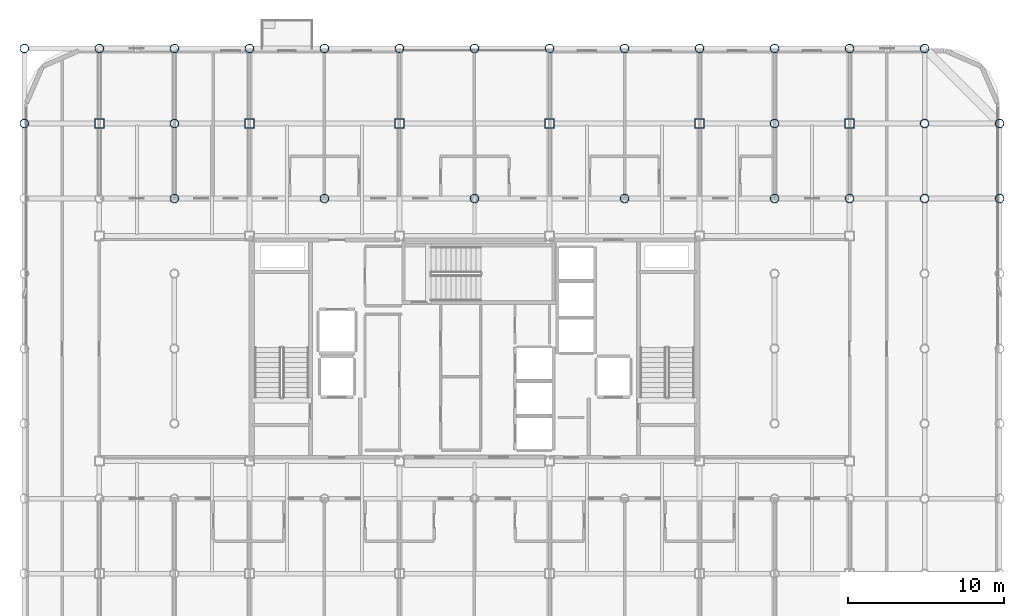
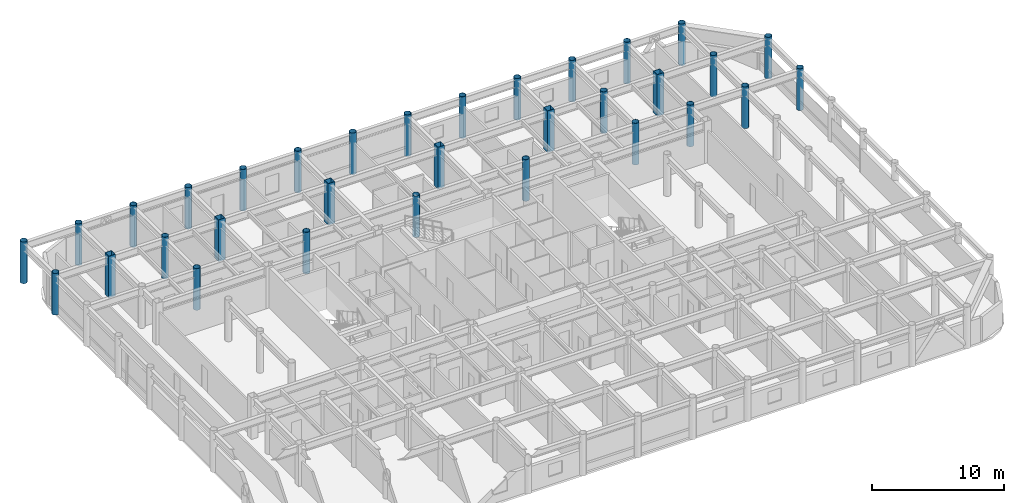
# One storey, part 2 of 23: 32 columns.
"""IFC4 building model written with IfcOpenShell, lengths in metres."""

from ifc_helpers import new_model, si_unit, direction, frame, origin, origin_2d, place, context, subcontext, project, spatial, hollow_rectangle, hollow_circle, extrude, material, material_profile, profile_set, type_object, element, save


model = new_model("IFC4")

# Units and contexts
model_context = context("Model", 3, precision=1e-05, world=origin(), true_north=direction((0.0, 1.0)))
body_context = subcontext(model_context, "Body", "Model", "MODEL_VIEW")
ifc_project = project(units=[si_unit("LENGTHUNIT", "METRE"), si_unit("AREAUNIT", "SQUARE_METRE"), si_unit("VOLUMEUNIT", "CUBIC_METRE"), si_unit("PLANEANGLEUNIT", "RADIAN"), si_unit("MASSUNIT", "GRAM", prefix="KILO")], contexts=[model_context])

# Site, building, storey
site_placement = place(None, origin())
site = spatial("IfcSite", under=ifc_project, at=site_placement, CompositionType="ELEMENT")
building_placement = place(site_placement, origin())
building = spatial("IfcBuilding", under=site, at=building_placement, Name="Kallvorn Hotel Tower", CompositionType="ELEMENT")
storey_placement = place(building_placement, frame((0.0, 0.0, 195.35009765625)))
storey = spatial("IfcBuildingStorey", under=building, at=storey_placement, Name="L48", CompositionType="ELEMENT", Elevation=195.35009765625)

# Columns
ifc_material_1 = material(Name="Structural steel S355J2H", Category="steel")
ifc_material_profile_1 = material_profile(ifc_material_1, hollow_circle(Radius=0.279541015625, WallThickness=0.02490234375, at=origin_2d()), Name="CHS 559x25")
ifc_profile_set_1 = profile_set([ifc_material_profile_1], Name="Structural steel S355J2H")
column_type_1 = type_object("IfcColumnType", Name="COL_CHS_559", PredefinedType="COLUMN", material=ifc_profile_set_1)
for number, where, z_axis, x_axis, name in (
    (1, (-28.800048828125, 14.39990234375, 0.0), (0.0, 0.0, 1.0), (1.0, 0.0, 0.0), "L48 Exoskeleton Column EC08"),
    (2, (-28.800048828125, 19.199951171875, 0.0), (0.0, 0.0, 1.0), (1.0, 0.0, 0.0), "L48 Exoskeleton Column EC09"),
    (3, (-24.0, 19.199951171875, 0.0), (0.0, 0.0, 1.0), (1.0, 0.0, 0.0), "L48 Exoskeleton Column EC14"),
    (4, (-19.199951171875, 9.60009765625, 0.0), (0.0, 0.0, 1.0), (1.0, 0.0, 0.0), "L48 Exoskeleton Column EC22"),
    (5, (-19.199951171875, 14.39990234375, 0.0), (0.0, 0.0, 1.0), (1.0, 0.0, 0.0), "L48 Exoskeleton Column EC23"),
    (6, (-19.199951171875, 19.199951171875, 0.0), (0.0, 0.0, 1.0), (1.0, 0.0, 0.0), "L48 Exoskeleton Column EC24"),
    (7, (-14.39990234375, 19.199951171875, 0.0), (0.0, 0.0, 1.0), (1.0, 0.0, 0.0), "L48 Exoskeleton Column EC27"),
    (8, (-9.60009765625, 9.60009765625, 0.0), (0.0, 0.0, 1.0), (1.0, 0.0, 0.0), "L48 Exoskeleton Column EC31"),
    (9, (-9.60009765625, 19.199951171875, 0.0), (0.0, 0.0, 1.0), (1.0, 0.0, 0.0), "L48 Exoskeleton Column EC32"),
    (10, (-4.800048828125, 19.199951171875, 0.0), (0.0, 0.0, 1.0), (1.0, 0.0, 0.0), "L48 Exoskeleton Column EC35"),
    (11, (0.0, 9.60009765625, 0.0), (0.0, 0.0, 1.0), (1.0, 0.0, 0.0), "L48 Exoskeleton Column EC39"),
    (12, (0.0, 19.199951171875, 0.0), (0.0, 0.0, 1.0), (1.0, 0.0, 0.0), "L48 Exoskeleton Column EC40"),
    (13, (4.800048828125, 19.199951171875, 0.0), (0.0, 0.0, 1.0), (1.0, 0.0, 0.0), "L48 Exoskeleton Column EC43"),
    (14, (9.60009765625, 9.60009765625, 0.0), (0.0, 0.0, 1.0), (1.0, 0.0, 0.0), "L48 Exoskeleton Column EC47"),
    (15, (9.60009765625, 19.199951171875, 0.0), (0.0, 0.0, 1.0), (1.0, 0.0, 0.0), "L48 Exoskeleton Column EC48"),
    (16, (14.39990234375, 19.199951171875, 0.0), (0.0, 0.0, 1.0), (1.0, 0.0, 0.0), "L48 Exoskeleton Column EC51"),
    (17, (19.199951171875, 9.60009765625, 0.0), (0.0, 0.0, 1.0), (1.0, 0.0, 0.0), "L48 Exoskeleton Column EC59"),
    (18, (19.199951171875, 14.39990234375, 0.0), (0.0, 0.0, 1.0), (1.0, 0.0, 0.0), "L48 Exoskeleton Column EC60"),
    (19, (19.199951171875, 19.199951171875, 0.0), (0.0, 0.0, 1.0), (1.0, 0.0, 0.0), "L48 Exoskeleton Column EC61"),
    (20, (24.0, 9.60009765625, 0.0), (0.0, 0.0, 1.0), (1.0, 0.0, 0.0), "L48 Exoskeleton Column EC65"),
    (21, (24.0, 19.199951171875, 0.0), (0.0, 0.0, 1.0), (1.0, 0.0, 0.0), "L48 Exoskeleton Column EC66"),
    (22, (28.800048828125, 9.60009765625, 0.0), (0.0, 0.0, 1.0), (1.0, 0.0, 0.0), "L48 Exoskeleton Column EC74"),
    (23, (28.800048828125, 14.39990234375, 0.0), (0.0, 0.0, 1.0), (1.0, 0.0, 0.0), "L48 Exoskeleton Column EC75"),
    (24, (28.800048828125, 19.199951171875, 0.0), (0.0, 0.0, 1.0), (1.0, 0.0, 0.0), "L48 Exoskeleton Column EC76"),
    (25, (33.60009765625, 9.60009765625, 0.0), (0.0, 0.0, 1.0), (1.0, 0.0, 0.0), "L48 Exoskeleton Column EC83"),
    (26, (33.60009765625, 14.39990234375, 0.0), (0.0, 0.0, 1.0), (1.0, 0.0, 0.0), "L48 Exoskeleton Column EC84"),
):
    element("IfcColumn", number, at=place(storey_placement, frame(where, z_axis=z_axis, x_axis=x_axis)), inside=storey, type_object=column_type_1, Name=name, PredefinedType="COLUMN", context=body_context, shape_type="SweptSolid", body=[
        extrude(hollow_circle(Radius=0.279541015625, WallThickness=0.02490234375, at=origin_2d()), origin(), (0.0, 0.0, 1.0), 3.849853515625),
    ])
ifc_material_2 = material(Name="Structural steel S355J2H", Category="steel")
ifc_material_profile_2 = material_profile(ifc_material_2, hollow_rectangle(XDim=0.60009765625, YDim=0.60009765625, WallThickness=0.028076171875, at=origin_2d()), Name="RHS 600x600x28")
ifc_profile_set_2 = profile_set([ifc_material_profile_2], Name="Structural steel S355J2H")
column_type_2 = type_object("IfcColumnType", Name="COL_RHS_600", PredefinedType="COLUMN", material=ifc_profile_set_2)
for number, where, z_axis, x_axis, name in (
    (27, (-24.0, 14.39990234375, 0.0), (0.0, 0.0, 1.0), (1.0, 0.0, 0.0), "L48 Inner Column IC04"),
    (28, (-14.39990234375, 14.39990234375, 0.0), (0.0, 0.0, 1.0), (1.0, 0.0, 0.0), "L48 Inner Column IC08"),
    (29, (-4.800048828125, 14.39990234375, 0.0), (0.0, 0.0, 1.0), (1.0, 0.0, 0.0), "L48 Inner Column IC12"),
    (30, (4.800048828125, 14.39990234375, 0.0), (0.0, 0.0, 1.0), (1.0, 0.0, 0.0), "L48 Inner Column IC16"),
    (31, (14.39990234375, 14.39990234375, 0.0), (0.0, 0.0, 1.0), (1.0, 0.0, 0.0), "L48 Inner Column IC20"),
    (32, (24.0, 14.39990234375, 0.0), (0.0, 0.0, 1.0), (1.0, 0.0, 0.0), "L48 Inner Column IC24"),
):
    element("IfcColumn", number, at=place(storey_placement, frame(where, z_axis=z_axis, x_axis=x_axis)), inside=storey, type_object=column_type_2, Name=name, PredefinedType="COLUMN", context=body_context, shape_type="SweptSolid", body=[
        extrude(hollow_rectangle(XDim=0.60009765625, YDim=0.60009765625, WallThickness=0.028076171875, at=origin_2d()), origin(), (0.0, 0.0, 1.0), 3.849853515625),
    ])

save(model, "model.ifc")
